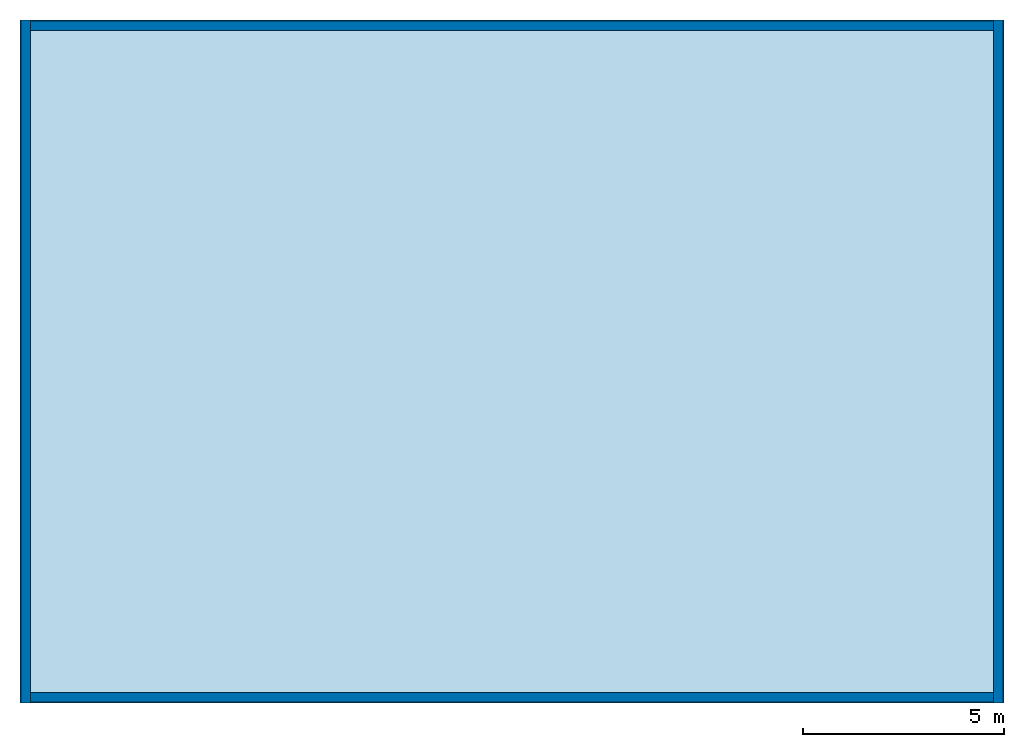
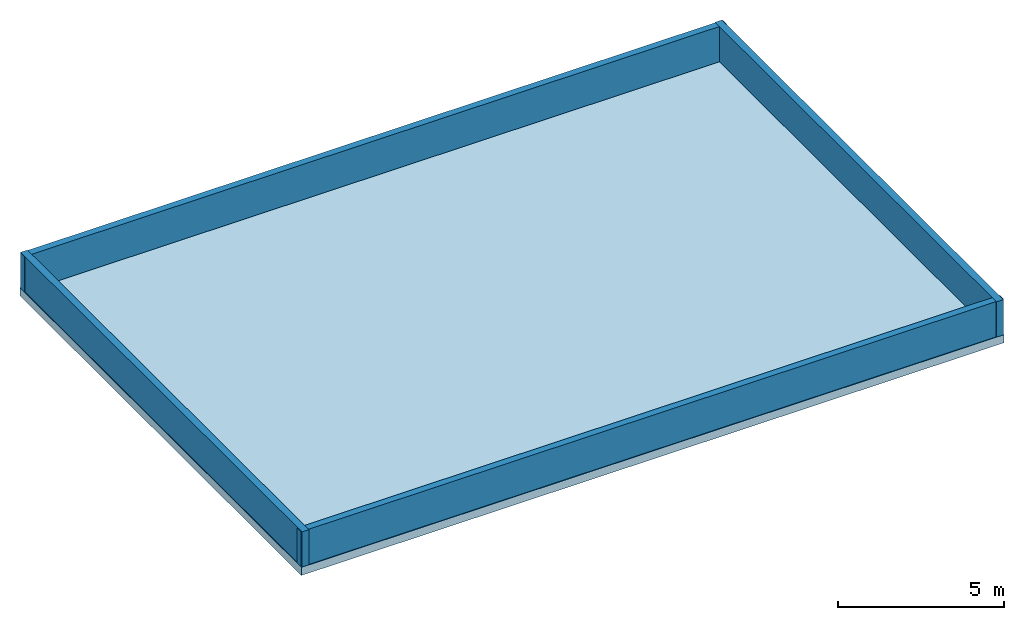
# One storey: 4 walls, 1 slab.
"""IFC4 building model written with IfcOpenShell, lengths in metres."""

from ifc_helpers import new_model, si_unit, direction, frame, frame_2d, origin, place, context, subcontext, project, spatial, polyline, rectangle, outline, extrude, material, layer, layer_set, type_object, element, save


model = new_model("IFC4")

# Units and contexts
model_context = context("Model", 3, precision=1e-05, world=origin(), true_north=direction((0.0, 1.0)))
body_context = subcontext(model_context, "Body", "Model", "MODEL_VIEW")
ifc_project = project(units=[si_unit("LENGTHUNIT", "METRE"), si_unit("AREAUNIT", "SQUARE_METRE"), si_unit("VOLUMEUNIT", "CUBIC_METRE"), si_unit("PLANEANGLEUNIT", "RADIAN"), si_unit("MASSUNIT", "GRAM", prefix="KILO")], contexts=[model_context])

# Site, building, storey
site_placement = place(None, origin())
site = spatial("IfcSite", under=ifc_project, at=site_placement, CompositionType="ELEMENT")
building_placement = place(site_placement, origin())
building = spatial("IfcBuilding", under=site, at=building_placement, Name="Qalmaran Belvedere Hotel", CompositionType="ELEMENT")
storey_placement = place(building_placement, frame((0.0, 0.0, 321.699951171875)))
storey = spatial("IfcBuildingStorey", under=building, at=storey_placement, Name="ROOF", CompositionType="ELEMENT", Elevation=321.699951171875)

# Slab
ifc_material = material(Name="Concrete C40/50", Category="concrete")
ifc_layer_1 = layer(ifc_material, 0.300048828125, Name="Concrete C40/50")
ifc_layer_set_1 = layer_set([ifc_layer_1], Name="Concrete C40/50")
slab_type = type_object("IfcSlabType", Name="SLB-CROOF-310", PredefinedType="ROOF", material=ifc_layer_set_1)
slab_placement = place(storey_placement, frame((0.0, 0.0, -0.300048828125)))
element("IfcSlab", 1, at=slab_placement, inside=storey, type_object=slab_type, Name="Crown Top Main Roof Slab", PredefinedType="ROOF", context=body_context, shape_type="SweptSolid", body=[
    extrude(outline(polyline([(20.300048828125, 3.5), (44.800048828125, 3.5), (44.800048828125, 20.5), (20.300048828125, 20.5), (20.300048828125, 3.5)])), origin(), (0.0, 0.0, 1.0), 0.300048828125),
])

# Walls
ifc_layer_2 = layer(ifc_material, 0.239990234375, Name="Concrete C40/50")
ifc_layer_set_2 = layer_set([ifc_layer_2], Name="Concrete C40/50")
wall_type = type_object("IfcWallType", Name="WL-PARAPET-240", PredefinedType="PARAPET", material=ifc_layer_set_2)
wall_1_placement = place(storey_placement, frame((20.300048828125, 3.639892578125, 0.0), z_axis=(0.0, 0.0, 1.0), x_axis=(1.0, 0.0, 0.0)))
element("IfcWall", 2, at=wall_1_placement, inside=storey, type_object=wall_type, Name="ROOF Roof Parapet 1", PredefinedType="PARAPET", context=body_context, shape_type="SweptSolid", body=[
    extrude(rectangle(XDim=24.5, YDim=0.239990234375, at=frame_2d((12.25, 0.0))), origin(), (0.0, 0.0, 1.0), 1.300048828125),
])
wall_2_placement = place(storey_placement, frame((44.659912109375, 3.5, 0.0), z_axis=(0.0, 0.0, 1.0), x_axis=(0.0, 1.0, 0.0)))
element("IfcWall", 3, at=wall_2_placement, inside=storey, type_object=wall_type, Name="ROOF Roof Parapet 2", PredefinedType="PARAPET", context=body_context, shape_type="SweptSolid", body=[
    extrude(rectangle(XDim=17.0, YDim=0.239990234375, at=frame_2d((8.5, 0.0))), origin(), (0.0, 0.0, 1.0), 1.300048828125),
])
wall_3_placement = place(storey_placement, frame((44.800048828125, 20.360107421875, 0.0), z_axis=(0.0, 0.0, 1.0), x_axis=(-1.0, 0.0, 0.0)))
element("IfcWall", 4, at=wall_3_placement, inside=storey, type_object=wall_type, Name="ROOF Roof Parapet 3", PredefinedType="PARAPET", context=body_context, shape_type="SweptSolid", body=[
    extrude(rectangle(XDim=24.5, YDim=0.239990234375, at=frame_2d((12.25, 0.0))), origin(), (0.0, 0.0, 1.0), 1.300048828125),
])
wall_4_placement = place(storey_placement, frame((20.43994140625, 20.5, 0.0), z_axis=(0.0, 0.0, 1.0), x_axis=(0.0, -1.0, 0.0)))
element("IfcWall", 5, at=wall_4_placement, inside=storey, type_object=wall_type, Name="ROOF Roof Parapet 4", PredefinedType="PARAPET", context=body_context, shape_type="SweptSolid", body=[
    extrude(rectangle(XDim=17.0, YDim=0.239990234375, at=frame_2d((8.5, 0.0))), origin(), (0.0, 0.0, 1.0), 1.300048828125),
])

save(model, "model.ifc")
